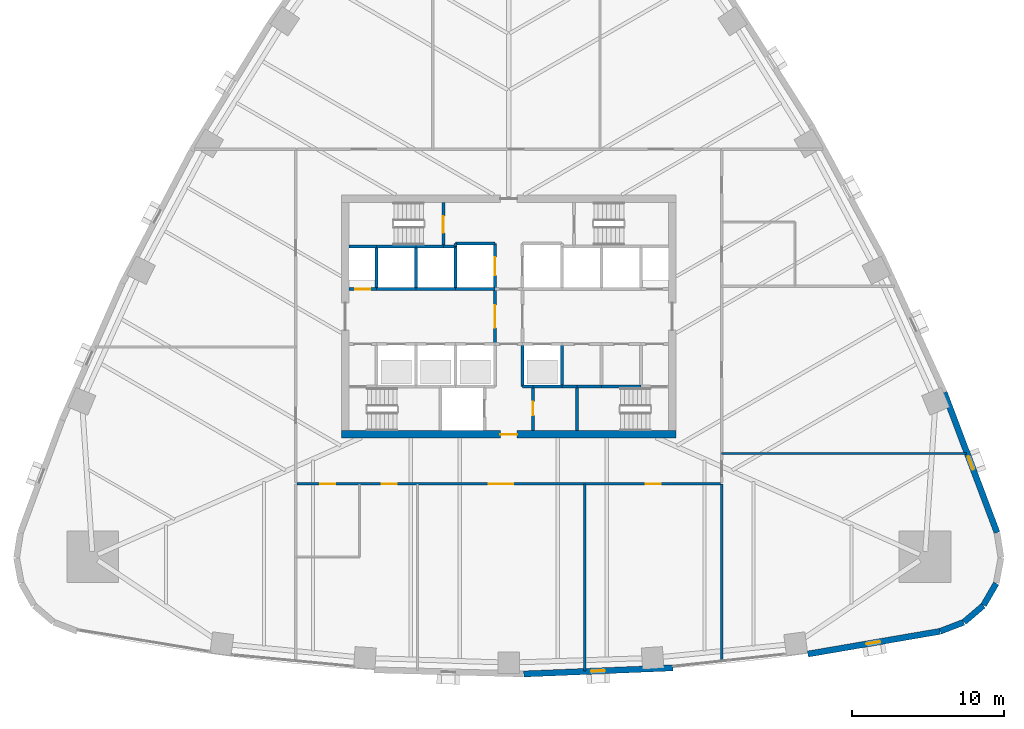
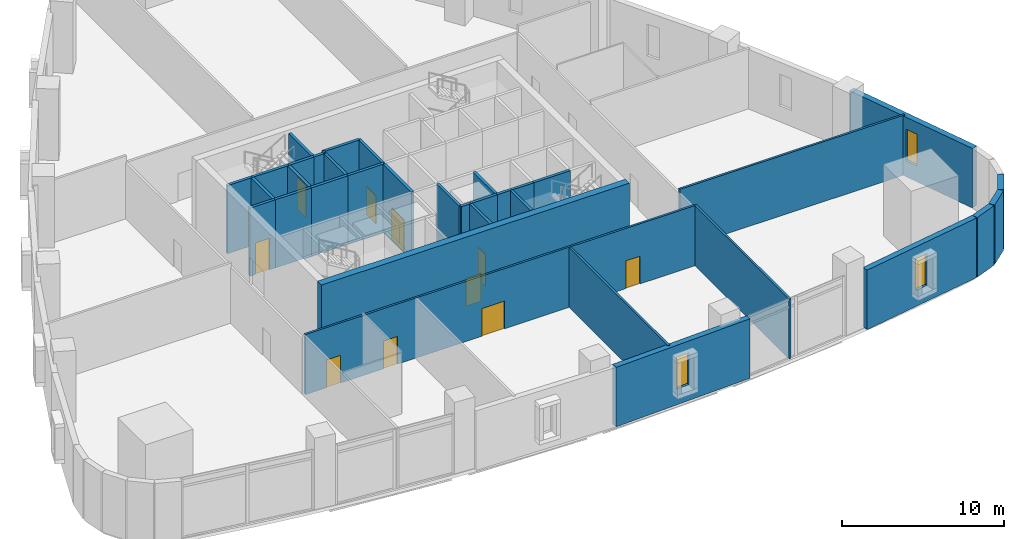
# One storey, part 7 of 14: 36 walls, 10 doors, 3 windows, 13 openings.
"""IFC4 building model written with IfcOpenShell, lengths in metres."""

from ifc_helpers import new_model, si_unit, direction, frame, frame_2d, origin, place, context, subcontext, project, spatial, rectangle, extrude, material, layer, layer_set, type_object, element, fill, save


model = new_model("IFC4")

# Units and contexts
model_context = context("Model", 3, precision=1e-05, world=origin(), true_north=direction((0.0, 1.0)))
body_context = subcontext(model_context, "Body", "Model", "MODEL_VIEW")
ifc_project = project(units=[si_unit("LENGTHUNIT", "METRE"), si_unit("AREAUNIT", "SQUARE_METRE"), si_unit("VOLUMEUNIT", "CUBIC_METRE"), si_unit("PLANEANGLEUNIT", "RADIAN"), si_unit("MASSUNIT", "GRAM", prefix="KILO")], contexts=[model_context])

# Site, building, storey
site_placement = place(None, origin())
site = spatial("IfcSite", under=ifc_project, at=site_placement, CompositionType="ELEMENT")
building_placement = place(site_placement, origin())
building = spatial("IfcBuilding", under=site, at=building_placement, Name="Sierra Prisma Convention Tower", CompositionType="ELEMENT")
storey_placement = place(building_placement, frame((0.0, 0.0, 16.800048828125)))
storey = spatial("IfcBuildingStorey", under=building, at=storey_placement, Name="L02", CompositionType="ELEMENT", Elevation=16.800048828125)

# Wall, opening, door
ifc_material_1 = material(Name="Concrete C30/37", Category="concrete")
ifc_layer_1 = layer(ifc_material_1, 0.199951171875)
ifc_layer_set_1 = layer_set([ifc_layer_1], Name="Core wall RC 200 C30/37")
wall_type_1 = type_object("IfcWallType", Name="Core wall RC 200 C30/37", PredefinedType="SOLIDWALL", material=ifc_layer_set_1)
wall_1_placement = place(storey_placement, frame((-8.699951171875, 1.800048828125, 0.0), z_axis=(0.0, 0.0, 1.0), x_axis=(-1.0, 0.0, 0.0)))
wall_1 = element("IfcWall", 1, at=wall_1_placement, inside=storey, type_object=wall_type_1, Name="Core wall L02 3", PredefinedType="SOLIDWALL", context=body_context, shape_type="SweptSolid", body=[
    extrude(rectangle(XDim=1.800048828125, YDim=0.199951171875, at=frame_2d((0.89990234375, 0.0))), origin(), (0.0, 0.0, 1.0), 5.14990234375),
])
opening_1_placement = place(wall_1_placement, frame((0.39990234375, 0.0, 0.0)))
opening_1 = element("IfcOpeningElement", 2, at=opening_1_placement, cuts=wall_1, Name="Opening L02-D014", PredefinedType="OPENING", context=body_context, shape_type="SweptSolid", body=[
    extrude(rectangle(XDim=1.0, YDim=2.39990234375, at=frame_2d((0.5, 1.199951171875))), frame((0.0, 0.10009765625, 0.0), z_axis=(0.0, -1.0, 0.0), x_axis=(1.0, 0.0, 0.0)), (0.0, 0.0, 1.0), 0.199951171875),
])
ifc_material_2 = material(Name="Steel fire door leaf", Category="steel")
door_type_1 = type_object("IfcDoorType", Name="Door 1000x2400 FD60S", OperationType="SINGLE_SWING_LEFT", PredefinedType="DOOR", material=ifc_material_2)
door_1_placement = place(opening_1_placement, origin())
door_1 = element("IfcDoor", 3, at=door_1_placement, inside=storey, type_object=door_type_1, Name="Door L02 27", OperationType="SINGLE_SWING_LEFT", OverallHeight=2.39990234375, OverallWidth=1.0, PredefinedType="DOOR", context=body_context, shape_type="SweptSolid", body=[
    extrude(rectangle(XDim=1.0, YDim=2.39990234375, at=frame_2d((0.5, 1.199951171875))), frame((0.0, 0.02490234375, 0.0), z_axis=(0.0, -1.0, 0.0), x_axis=(1.0, 0.0, 0.0)), (0.0, 0.0, 1.0), 0.050048828125),
])
fill(opening_1, door_1)

# Walls
wall_2_placement = place(storey_placement, frame((-8.699951171875, 4.60009765625, 0.0), z_axis=(0.0, 0.0, 1.0), x_axis=(-1.0, 0.0, 0.0)))
element("IfcWall", 4, at=wall_2_placement, inside=storey, type_object=wall_type_1, Name="Core wall L02 4", PredefinedType="SOLIDWALL", context=body_context, shape_type="SweptSolid", body=[
    extrude(rectangle(XDim=1.800048828125, YDim=0.199951171875, at=frame_2d((0.89990234375, 0.0))), origin(), (0.0, 0.0, 1.0), 5.14990234375),
])
wall_3_placement = place(storey_placement, frame((-6.10009765625, 1.800048828125, 0.0), z_axis=(0.0, 0.0, 1.0), x_axis=(-1.0, 0.0, 0.0)))
element("IfcWall", 5, at=wall_3_placement, inside=storey, type_object=wall_type_1, Name="Core wall L02 8", PredefinedType="SOLIDWALL", context=body_context, shape_type="SweptSolid", body=[
    extrude(rectangle(XDim=2.599853515625, YDim=0.199951171875, at=frame_2d((1.2998046875, 0.0))), origin(), (0.0, 0.0, 1.0), 5.14990234375),
])
wall_4_placement = place(storey_placement, frame((-8.699951171875, 1.800048828125, 0.0), z_axis=(0.0, 0.0, 1.0), x_axis=(0.0, 1.0, 0.0)))
element("IfcWall", 6, at=wall_4_placement, inside=storey, type_object=wall_type_1, Name="Core wall L02 9", PredefinedType="SOLIDWALL", context=body_context, shape_type="SweptSolid", body=[
    extrude(rectangle(XDim=2.800048828125, YDim=0.199951171875, at=frame_2d((1.39990234375, 0.0))), origin(), (0.0, 0.0, 1.0), 5.14990234375),
])
wall_5_placement = place(storey_placement, frame((-6.10009765625, 4.60009765625, 0.0), z_axis=(0.0, 0.0, 1.0), x_axis=(-1.0, 0.0, 0.0)))
element("IfcWall", 7, at=wall_5_placement, inside=storey, type_object=wall_type_1, Name="Core wall L02 10", PredefinedType="SOLIDWALL", context=body_context, shape_type="SweptSolid", body=[
    extrude(rectangle(XDim=2.599853515625, YDim=0.199951171875, at=frame_2d((1.2998046875, 0.0))), origin(), (0.0, 0.0, 1.0), 5.14990234375),
])
wall_6_placement = place(storey_placement, frame((-3.5, 1.800048828125, 0.0), z_axis=(0.0, 0.0, 1.0), x_axis=(-1.0, 0.0, 0.0)))
element("IfcWall", 8, at=wall_6_placement, inside=storey, type_object=wall_type_1, Name="Core wall L02 14", PredefinedType="SOLIDWALL", context=body_context, shape_type="SweptSolid", body=[
    extrude(rectangle(XDim=2.60009765625, YDim=0.199951171875, at=frame_2d((1.300048828125, 0.0))), origin(), (0.0, 0.0, 1.0), 5.14990234375),
])
wall_7_placement = place(storey_placement, frame((-6.10009765625, 1.800048828125, 0.0), z_axis=(0.0, 0.0, 1.0), x_axis=(0.0, 1.0, 0.0)))
element("IfcWall", 9, at=wall_7_placement, inside=storey, type_object=wall_type_1, Name="Core wall L02 15", PredefinedType="SOLIDWALL", context=body_context, shape_type="SweptSolid", body=[
    extrude(rectangle(XDim=2.800048828125, YDim=0.199951171875, at=frame_2d((1.39990234375, 0.0))), origin(), (0.0, 0.0, 1.0), 5.14990234375),
])
wall_8_placement = place(storey_placement, frame((-4.300048828125, 4.60009765625, 0.0), z_axis=(0.0, 0.0, 1.0), x_axis=(-1.0, 0.0, 0.0)))
element("IfcWall", 10, at=wall_8_placement, inside=storey, type_object=wall_type_1, Name="Core wall L02 16", PredefinedType="SOLIDWALL", context=body_context, shape_type="SweptSolid", body=[
    extrude(rectangle(XDim=1.800048828125, YDim=0.199951171875, at=frame_2d((0.89990234375, 0.0))), origin(), (0.0, 0.0, 1.0), 5.14990234375),
])
wall_9_placement = place(storey_placement, frame((-3.5, 4.60009765625, 0.0), z_axis=(0.0, 0.0, 1.0), x_axis=(-1.0, 0.0, 0.0)))
element("IfcWall", 11, at=wall_9_placement, inside=storey, type_object=wall_type_1, Name="Core wall L02 19", PredefinedType="SOLIDWALL", context=body_context, shape_type="SweptSolid", body=[
    extrude(rectangle(XDim=0.800048828125, YDim=0.199951171875, at=frame_2d((0.39990234375, 0.0))), origin(), (0.0, 0.0, 1.0), 5.14990234375),
])

# Wall, opening, door
wall_10_placement = place(storey_placement, frame((-4.300048828125, 4.60009765625, 0.0), z_axis=(0.0, 0.0, 1.0), x_axis=(0.0, 1.0, 0.0)))
wall_10 = element("IfcWall", 12, at=wall_10_placement, inside=storey, type_object=wall_type_1, Name="Core wall L02 20", PredefinedType="SOLIDWALL", context=body_context, shape_type="SweptSolid", body=[
    extrude(rectangle(XDim=2.89990234375, YDim=0.199951171875, at=frame_2d((1.449951171875, 0.0))), origin(), (0.0, 0.0, 1.0), 5.14990234375),
])
opening_2_placement = place(wall_10_placement, frame((0.89990234375, 0.0, 0.0)))
opening_2 = element("IfcOpeningElement", 13, at=opening_2_placement, cuts=wall_10, Name="Opening L02-D018", PredefinedType="OPENING", context=body_context, shape_type="SweptSolid", body=[
    extrude(rectangle(XDim=1.10009765625, YDim=2.39990234375, at=frame_2d((0.550048828125, 1.199951171875))), frame((0.0, 0.10009765625, 0.0), z_axis=(0.0, -1.0, 0.0), x_axis=(1.0, 0.0, 0.0)), (0.0, 0.0, 1.0), 0.199951171875),
])
ifc_material_3 = material(Name="Steel fire door leaf", Category="steel")
door_type_2 = type_object("IfcDoorType", Name="Door 1100x2400 FD90S", OperationType="SINGLE_SWING_LEFT", PredefinedType="DOOR", material=ifc_material_3)
door_2_placement = place(opening_2_placement, origin())
door_2 = element("IfcDoor", 14, at=door_2_placement, inside=storey, type_object=door_type_2, Name="Door L02 31", OperationType="SINGLE_SWING_LEFT", OverallHeight=2.39990234375, OverallWidth=1.10009765625, PredefinedType="DOOR", context=body_context, shape_type="SweptSolid", body=[
    extrude(rectangle(XDim=1.10009765625, YDim=2.39990234375, at=frame_2d((0.550048828125, 1.199951171875))), frame((0.0, 0.02490234375, 0.0), z_axis=(0.0, -1.0, 0.0), x_axis=(1.0, 0.0, 0.0)), (0.0, 0.0, 1.0), 0.050048828125),
])
fill(opening_2, door_2)

# Walls
wall_11_placement = place(storey_placement, frame((-0.89990234375, 1.800048828125, 0.0), z_axis=(0.0, 0.0, 1.0), x_axis=(-1.0, 0.0, 0.0)))
element("IfcWall", 15, at=wall_11_placement, inside=storey, type_object=wall_type_1, Name="Core wall L02 24", PredefinedType="SOLIDWALL", context=body_context, shape_type="SweptSolid", body=[
    extrude(rectangle(XDim=2.60009765625, YDim=0.199951171875, at=frame_2d((1.300048828125, 0.0))), origin(), (0.0, 0.0, 1.0), 5.14990234375),
])
wall_12_placement = place(storey_placement, frame((-3.5, 4.60009765625, 0.0), z_axis=(0.0, 0.0, 1.0), x_axis=(0.0, -1.0, 0.0)))
element("IfcWall", 16, at=wall_12_placement, inside=storey, type_object=wall_type_1, Name="Core wall L02 25", PredefinedType="SOLIDWALL", context=body_context, shape_type="SweptSolid", body=[
    extrude(rectangle(XDim=2.800048828125, YDim=0.199951171875, at=frame_2d((1.39990234375, 0.0))), origin(), (0.0, 0.0, 1.0), 5.14990234375),
])

# Wall, opening, door
wall_13_placement = place(storey_placement, frame((-0.89990234375, 1.800048828125, 0.0), z_axis=(0.0, 0.0, 1.0), x_axis=(0.0, 1.0, 0.0)))
wall_13 = element("IfcWall", 17, at=wall_13_placement, inside=storey, type_object=wall_type_1, Name="Core wall L02 26", PredefinedType="SOLIDWALL", context=body_context, shape_type="SweptSolid", body=[
    extrude(rectangle(XDim=3.0, YDim=0.199951171875, at=frame_2d((1.5, 0.0))), origin(), (0.0, 0.0, 1.0), 5.14990234375),
])
opening_3_placement = place(wall_13_placement, frame((0.89990234375, 0.0, 0.0)))
opening_3 = element("IfcOpeningElement", 18, at=opening_3_placement, cuts=wall_13, Name="Opening L02-D005", PredefinedType="OPENING", context=body_context, shape_type="SweptSolid", body=[
    extrude(rectangle(XDim=1.199951171875, YDim=2.10009765625, at=frame_2d((0.60009765625, 1.050048828125))), frame((0.0, 0.10009765625, 0.0), z_axis=(0.0, -1.0, 0.0), x_axis=(1.0, 0.0, 0.0)), (0.0, 0.0, 1.0), 0.199951171875),
])
ifc_material_4 = material(Name="Steel fire door leaf", Category="steel")
door_type_3 = type_object("IfcDoorType", Name="Door 1200x2100 EI 90 sliding lift landing", OperationType="SLIDING_TO_LEFT", PredefinedType="DOOR", material=ifc_material_4)
door_3_placement = place(opening_3_placement, origin())
door_3 = element("IfcDoor", 19, at=door_3_placement, inside=storey, type_object=door_type_3, Name="Door L02 18", OperationType="SLIDING_TO_RIGHT", OverallHeight=2.10009765625, OverallWidth=1.199951171875, PredefinedType="DOOR", context=body_context, shape_type="SweptSolid", body=[
    extrude(rectangle(XDim=1.199951171875, YDim=2.10009765625, at=frame_2d((0.60009765625, 1.050048828125))), frame((0.0, 0.02490234375, 0.0), z_axis=(0.0, -1.0, 0.0), x_axis=(1.0, 0.0, 0.0)), (0.0, 0.0, 1.0), 0.050048828125),
])
fill(opening_3, door_3)

# Walls
wall_14_placement = place(storey_placement, frame((-0.89990234375, 4.800048828125, 0.0), z_axis=(0.0, 0.0, 1.0), x_axis=(-1.0, 0.0, 0.0)))
element("IfcWall", 20, at=wall_14_placement, inside=storey, type_object=wall_type_1, Name="Core wall L02 27", PredefinedType="SOLIDWALL", context=body_context, shape_type="SweptSolid", body=[
    extrude(rectangle(XDim=2.60009765625, YDim=0.199951171875, at=frame_2d((1.300048828125, 0.0))), origin(), (0.0, 0.0, 1.0), 5.14990234375),
])
wall_15_placement = place(storey_placement, frame((-3.5, 4.800048828125, 0.0), z_axis=(0.0, 0.0, 1.0), x_axis=(0.0, -1.0, 0.0)))
element("IfcWall", 21, at=wall_15_placement, inside=storey, type_object=wall_type_1, Name="Core wall L02 28", PredefinedType="SOLIDWALL", context=body_context, shape_type="SweptSolid", body=[
    extrude(rectangle(XDim=0.199951171875, YDim=0.199951171875, at=frame_2d((0.10009765625, 0.0))), origin(), (0.0, 0.0, 1.0), 5.14990234375),
])

# Wall, opening, door
wall_16_placement = place(storey_placement, frame((-0.89990234375, 1.800048828125, 0.0), z_axis=(0.0, 0.0, 1.0), x_axis=(0.0, -1.0, 0.0)))
wall_16 = element("IfcWall", 22, at=wall_16_placement, inside=storey, type_object=wall_type_1, Name="Core wall L02 33", PredefinedType="SOLIDWALL", context=body_context, shape_type="SweptSolid", body=[
    extrude(rectangle(XDim=3.60009765625, YDim=0.199951171875, at=frame_2d((1.800048828125, 0.0))), origin(), (0.0, 0.0, 1.0), 5.14990234375),
])
opening_4_placement = place(wall_16_placement, frame((1.050048828125, 0.0, 0.0)))
opening_4 = element("IfcOpeningElement", 23, at=opening_4_placement, cuts=wall_16, Name="Opening L02-D008", PredefinedType="OPENING", context=body_context, shape_type="SweptSolid", body=[
    extrude(rectangle(XDim=1.5, YDim=2.39990234375, at=frame_2d((0.75, 1.199951171875))), frame((0.0, 0.10009765625, 0.0), z_axis=(0.0, -1.0, 0.0), x_axis=(1.0, 0.0, 0.0)), (0.0, 0.0, 1.0), 0.199951171875),
])
ifc_material_5 = material(Name="Steel fire door leaf", Category="steel")
door_type_4 = type_object("IfcDoorType", Name="Door 1500x2400 FD30S", OperationType="DOUBLE_DOOR_SINGLE_SWING", PredefinedType="DOOR", material=ifc_material_5)
door_4_placement = place(opening_4_placement, origin())
door_4 = element("IfcDoor", 24, at=door_4_placement, inside=storey, type_object=door_type_4, Name="Door L02 21", OperationType="DOUBLE_DOOR_SINGLE_SWING", OverallHeight=2.39990234375, OverallWidth=1.5, PredefinedType="DOOR", context=body_context, shape_type="SweptSolid", body=[
    extrude(rectangle(XDim=1.5, YDim=2.39990234375, at=frame_2d((0.75, 1.199951171875))), frame((0.0, 0.02490234375, 0.0), z_axis=(0.0, -1.0, 0.0), x_axis=(1.0, 0.0, 0.0)), (0.0, 0.0, 1.0), 0.050048828125),
])
fill(opening_4, door_4)

# Walls
wall_17_placement = place(storey_placement, frame((0.89990234375, -1.800048828125, 0.0), z_axis=(0.0, 0.0, 1.0), x_axis=(0.0, -1.0, 0.0)))
element("IfcWall", 25, at=wall_17_placement, inside=storey, type_object=wall_type_1, Name="Core wall L02 37", PredefinedType="SOLIDWALL", context=body_context, shape_type="SweptSolid", body=[
    extrude(rectangle(XDim=2.800048828125, YDim=0.199951171875, at=frame_2d((1.39990234375, 0.0))), origin(), (0.0, 0.0, 1.0), 5.14990234375),
])
wall_18_placement = place(storey_placement, frame((0.89990234375, -4.60009765625, 0.0), z_axis=(0.0, 0.0, 1.0), x_axis=(1.0, 0.0, 0.0)))
element("IfcWall", 26, at=wall_18_placement, inside=storey, type_object=wall_type_1, Name="Core wall L02 38", PredefinedType="SOLIDWALL", context=body_context, shape_type="SweptSolid", body=[
    extrude(rectangle(XDim=0.7001953125, YDim=0.199951171875, at=frame_2d((0.35009765625, 0.0))), origin(), (0.0, 0.0, 1.0), 5.14990234375),
])

# Wall, opening, door
wall_19_placement = place(storey_placement, frame((1.60009765625, -4.60009765625, 0.0), z_axis=(0.0, 0.0, 1.0), x_axis=(0.0, -1.0, 0.0)))
wall_19 = element("IfcWall", 27, at=wall_19_placement, inside=storey, type_object=wall_type_1, Name="Core wall L02 43", PredefinedType="SOLIDWALL", context=body_context, shape_type="SweptSolid", body=[
    extrude(rectangle(XDim=2.89990234375, YDim=0.199951171875, at=frame_2d((1.449951171875, 0.0))), origin(), (0.0, 0.0, 1.0), 5.14990234375),
])
opening_5_placement = place(wall_19_placement, frame((1.0, 0.0, 0.0)))
opening_5 = element("IfcOpeningElement", 28, at=opening_5_placement, cuts=wall_19, Name="Opening L02-D022", PredefinedType="OPENING", context=body_context, shape_type="SweptSolid", body=[
    extrude(rectangle(XDim=0.89990234375, YDim=2.39990234375, at=frame_2d((0.449951171875, 1.199951171875))), frame((0.0, 0.10009765625, 0.0), z_axis=(0.0, -1.0, 0.0), x_axis=(1.0, 0.0, 0.0)), (0.0, 0.0, 1.0), 0.199951171875),
])
ifc_material_6 = material(Name="Steel fire door leaf", Category="steel")
door_type_5 = type_object("IfcDoorType", Name="Door 900x2400 FD30S", OperationType="SINGLE_SWING_LEFT", PredefinedType="DOOR", material=ifc_material_6)
door_5_placement = place(opening_5_placement, origin())
door_5 = element("IfcDoor", 29, at=door_5_placement, inside=storey, type_object=door_type_5, Name="Door L02 35", OperationType="SINGLE_SWING_LEFT", OverallHeight=2.39990234375, OverallWidth=0.89990234375, PredefinedType="DOOR", context=body_context, shape_type="SweptSolid", body=[
    extrude(rectangle(XDim=0.89990234375, YDim=2.39990234375, at=frame_2d((0.449951171875, 1.199951171875))), frame((0.0, 0.02490234375, 0.0), z_axis=(0.0, -1.0, 0.0), x_axis=(1.0, 0.0, 0.0)), (0.0, 0.0, 1.0), 0.050048828125),
])
fill(opening_5, door_5)

# Walls
wall_20_placement = place(storey_placement, frame((3.5, -4.60009765625, 0.0), z_axis=(0.0, 0.0, 1.0), x_axis=(-1.0, 0.0, 0.0)))
element("IfcWall", 30, at=wall_20_placement, inside=storey, type_object=wall_type_1, Name="Core wall L02 44", PredefinedType="SOLIDWALL", context=body_context, shape_type="SweptSolid", body=[
    extrude(rectangle(XDim=1.89990234375, YDim=0.199951171875, at=frame_2d((0.949951171875, 0.0))), origin(), (0.0, 0.0, 1.0), 5.14990234375),
])
wall_21_placement = place(storey_placement, frame((3.5, -4.60009765625, 0.0), z_axis=(0.0, 0.0, 1.0), x_axis=(1.0, 0.0, 0.0)))
element("IfcWall", 31, at=wall_21_placement, inside=storey, type_object=wall_type_1, Name="Core wall L02 45", PredefinedType="SOLIDWALL", context=body_context, shape_type="SweptSolid", body=[
    extrude(rectangle(XDim=1.0, YDim=0.199951171875, at=frame_2d((0.5, 0.0))), origin(), (0.0, 0.0, 1.0), 5.14990234375),
])
wall_22_placement = place(storey_placement, frame((3.5, -1.800048828125, 0.0), z_axis=(0.0, 0.0, 1.0), x_axis=(0.0, -1.0, 0.0)))
element("IfcWall", 32, at=wall_22_placement, inside=storey, type_object=wall_type_1, Name="Core wall L02 46", PredefinedType="SOLIDWALL", context=body_context, shape_type="SweptSolid", body=[
    extrude(rectangle(XDim=2.800048828125, YDim=0.199951171875, at=frame_2d((1.39990234375, 0.0))), origin(), (0.0, 0.0, 1.0), 5.14990234375),
])
wall_23_placement = place(storey_placement, frame((4.5, -7.5, 0.0), z_axis=(0.0, 0.0, 1.0), x_axis=(0.0, 1.0, 0.0)))
element("IfcWall", 33, at=wall_23_placement, inside=storey, type_object=wall_type_1, Name="Core wall L02 53", PredefinedType="SOLIDWALL", context=body_context, shape_type="SweptSolid", body=[
    extrude(rectangle(XDim=2.89990234375, YDim=0.199951171875, at=frame_2d((1.449951171875, 0.0))), origin(), (0.0, 0.0, 1.0), 5.14990234375),
])
wall_24_placement = place(storey_placement, frame((4.5, -4.60009765625, 0.0), z_axis=(0.0, 0.0, 1.0), x_axis=(1.0, 0.0, 0.0)))
element("IfcWall", 34, at=wall_24_placement, inside=storey, type_object=wall_type_1, Name="Core wall L02 54", PredefinedType="SOLIDWALL", context=body_context, shape_type="SweptSolid", body=[
    extrude(rectangle(XDim=1.60009765625, YDim=0.199951171875, at=frame_2d((0.800048828125, 0.0))), origin(), (0.0, 0.0, 1.0), 5.14990234375),
])
wall_25_placement = place(storey_placement, frame((6.10009765625, -4.60009765625, 0.0), z_axis=(0.0, 0.0, 1.0), x_axis=(1.0, 0.0, 0.0)))
element("IfcWall", 35, at=wall_25_placement, inside=storey, type_object=wall_type_1, Name="Core wall L02 55", PredefinedType="SOLIDWALL", context=body_context, shape_type="SweptSolid", body=[
    extrude(rectangle(XDim=2.599853515625, YDim=0.199951171875, at=frame_2d((1.2998046875, 0.0))), origin(), (0.0, 0.0, 1.0), 5.14990234375),
])

# Wall, opening, door
ifc_material_7 = material(Name="Concrete C70/85", Category="concrete")
ifc_layer_2 = layer(ifc_material_7, 0.5)
ifc_layer_set_2 = layer_set([ifc_layer_2], Name="Core wall RC 500 C70/85")
wall_type_2 = type_object("IfcWallType", Name="Core wall RC 500 C70/85", PredefinedType="SHEAR", material=ifc_layer_set_2)
wall_26_placement = place(storey_placement, frame((-11.0, -7.75, 0.0), z_axis=(0.0, 0.0, 1.0), x_axis=(1.0, 0.0, 0.0)))
wall_26 = element("IfcWall", 36, at=wall_26_placement, inside=storey, type_object=wall_type_2, Name="Core wall S L02", PredefinedType="SHEAR", context=body_context, shape_type="SweptSolid", body=[
    extrude(rectangle(XDim=22.0, YDim=0.5, at=frame_2d((11.0, 0.0))), origin(), (0.0, 0.0, 1.0), 5.39990234375),
])
opening_6_placement = place(wall_26_placement, frame((10.449951171875, 0.0, 0.0)))
opening_6 = element("IfcOpeningElement", 37, at=opening_6_placement, cuts=wall_26, Name="Opening L02-D038", PredefinedType="OPENING", context=body_context, shape_type="SweptSolid", body=[
    extrude(rectangle(XDim=1.10009765625, YDim=2.10009765625, at=frame_2d((0.550048828125, 1.050048828125))), frame((0.0, 0.25, 0.0), z_axis=(0.0, -1.0, 0.0), x_axis=(1.0, 0.0, 0.0)), (0.0, 0.0, 1.0), 0.5),
])
ifc_material_8 = material(Name="Steel fire door leaf", Category="steel")
door_type_6 = type_object("IfcDoorType", Name="Door 1100x2100 FD30S", OperationType="SINGLE_SWING_LEFT", PredefinedType="DOOR", material=ifc_material_8)
door_6_placement = place(opening_6_placement, origin())
door_6 = element("IfcDoor", 38, at=door_6_placement, inside=storey, type_object=door_type_6, Name="Door L02 39", OperationType="SINGLE_SWING_LEFT", OverallHeight=2.10009765625, OverallWidth=1.10009765625, PredefinedType="DOOR", context=body_context, shape_type="SweptSolid", body=[
    extrude(rectangle(XDim=1.10009765625, YDim=2.10009765625, at=frame_2d((0.550048828125, 1.050048828125))), frame((0.0, 0.02490234375, 0.0), z_axis=(0.0, -1.0, 0.0), x_axis=(1.0, 0.0, 0.0)), (0.0, 0.0, 1.0), 0.050048828125),
])
fill(opening_6, door_6)

# Wall, openings, doors
ifc_material_9 = material(Name="Gypsum board partition", Category="gypsum")
ifc_layer_3 = layer(ifc_material_9, 0.14990234375)
ifc_layer_set_3 = layer_set([ifc_layer_3], Name="Corridor wall 150 gypsum EI 60")
wall_type_3 = type_object("IfcWallType", Name="Corridor wall 150 gypsum EI 60", PredefinedType="PARTITIONING", material=ifc_layer_set_3)
wall_27_placement = place(storey_placement, frame((-13.919921875, -11.0, 0.0), z_axis=(0.0, 0.0, 1.0), x_axis=(1.0, 0.0, 0.0)))
wall_27 = element("IfcWall", 39, at=wall_27_placement, inside=storey, type_object=wall_type_3, Name="Partition L02 corr 2", PredefinedType="PARTITIONING", context=body_context, shape_type="SweptSolid", body=[
    extrude(rectangle(XDim=27.83984375, YDim=0.14990234375, at=frame_2d((13.919921875, 0.0))), origin(), (0.0, 0.0, 1.0), 4.546875),
])
opening_7_placement = place(wall_27_placement, frame((1.52001953125, 0.0, 0.0)))
opening_7 = element("IfcOpeningElement", 40, at=opening_7_placement, cuts=wall_27, Name="Opening L02-D030", PredefinedType="OPENING", context=body_context, shape_type="SweptSolid", body=[
    extrude(rectangle(XDim=1.0, YDim=2.10009765625, at=frame_2d((0.5, 1.050048828125))), frame((0.0, 0.074951171875, 0.0), z_axis=(0.0, -1.0, 0.0), x_axis=(1.0, 0.0, 0.0)), (0.0, 0.0, 1.0), 0.14990234375),
])
opening_8_placement = place(wall_27_placement, frame((5.570068359375, 0.0, 0.0)))
opening_8 = element("IfcOpeningElement", 41, at=opening_8_placement, cuts=wall_27, Name="Opening L02-D031", PredefinedType="OPENING", context=body_context, shape_type="SweptSolid", body=[
    extrude(rectangle(XDim=1.0, YDim=2.10009765625, at=frame_2d((0.5, 1.050048828125))), frame((0.0, 0.074951171875, 0.0), z_axis=(0.0, -1.0, 0.0), x_axis=(1.0, 0.0, 0.0)), (0.0, 0.0, 1.0), 0.14990234375),
])
opening_9_placement = place(wall_27_placement, frame((12.6201171875, 0.0, 0.0)))
opening_9 = element("IfcOpeningElement", 42, at=opening_9_placement, cuts=wall_27, Name="Opening L02-D032", PredefinedType="OPENING", context=body_context, shape_type="SweptSolid", body=[
    extrude(rectangle(XDim=1.60009765625, YDim=2.10009765625, at=frame_2d((0.800048828125, 1.050048828125))), frame((0.0, 0.074951171875, 0.0), z_axis=(0.0, -1.0, 0.0), x_axis=(1.0, 0.0, 0.0)), (0.0, 0.0, 1.0), 0.14990234375),
])
opening_10_placement = place(wall_27_placement, frame((22.919921875, 0.0, 0.0)))
opening_10 = element("IfcOpeningElement", 43, at=opening_10_placement, cuts=wall_27, Name="Opening L02-D033", PredefinedType="OPENING", context=body_context, shape_type="SweptSolid", body=[
    extrude(rectangle(XDim=1.0, YDim=2.10009765625, at=frame_2d((0.5, 1.050048828125))), frame((0.0, 0.074951171875, 0.0), z_axis=(0.0, -1.0, 0.0), x_axis=(1.0, 0.0, 0.0)), (0.0, 0.0, 1.0), 0.14990234375),
])
ifc_material_10 = material(Name="Steel fire door leaf", Category="steel")
door_type_7 = type_object("IfcDoorType", Name="Door 1000x2100 FD30S", OperationType="SINGLE_SWING_LEFT", PredefinedType="DOOR", material=ifc_material_10)
door_7_placement = place(opening_7_placement, origin())
door_7 = element("IfcDoor", 44, at=door_7_placement, inside=storey, type_object=door_type_7, Name="Door L02 8", OperationType="SINGLE_SWING_RIGHT", OverallHeight=2.10009765625, OverallWidth=1.0, PredefinedType="DOOR", context=body_context, shape_type="SweptSolid", body=[
    extrude(rectangle(XDim=1.0, YDim=2.10009765625, at=frame_2d((0.5, 1.050048828125))), frame((0.0, 0.02490234375, 0.0), z_axis=(0.0, -1.0, 0.0), x_axis=(1.0, 0.0, 0.0)), (0.0, 0.0, 1.0), 0.050048828125),
])
fill(opening_7, door_7)
door_8_placement = place(opening_8_placement, origin())
door_8 = element("IfcDoor", 45, at=door_8_placement, inside=storey, type_object=door_type_7, Name="Door L02 9", OperationType="SINGLE_SWING_LEFT", OverallHeight=2.10009765625, OverallWidth=1.0, PredefinedType="DOOR", context=body_context, shape_type="SweptSolid", body=[
    extrude(rectangle(XDim=1.0, YDim=2.10009765625, at=frame_2d((0.5, 1.050048828125))), frame((0.0, 0.02490234375, 0.0), z_axis=(0.0, -1.0, 0.0), x_axis=(1.0, 0.0, 0.0)), (0.0, 0.0, 1.0), 0.050048828125),
])
fill(opening_8, door_8)
door_9_placement = place(opening_10_placement, origin())
door_9 = element("IfcDoor", 46, at=door_9_placement, inside=storey, type_object=door_type_7, Name="Door L02 11", OperationType="SINGLE_SWING_LEFT", OverallHeight=2.10009765625, OverallWidth=1.0, PredefinedType="DOOR", context=body_context, shape_type="SweptSolid", body=[
    extrude(rectangle(XDim=1.0, YDim=2.10009765625, at=frame_2d((0.5, 1.050048828125))), frame((0.0, 0.02490234375, 0.0), z_axis=(0.0, -1.0, 0.0), x_axis=(1.0, 0.0, 0.0)), (0.0, 0.0, 1.0), 0.050048828125),
])
fill(opening_10, door_9)
ifc_material_11 = material(Name="Steel fire door leaf", Category="steel")
door_type_8 = type_object("IfcDoorType", Name="Door 1600x2100 FD30S", OperationType="DOUBLE_DOOR_SINGLE_SWING", PredefinedType="DOOR", material=ifc_material_11)
door_10_placement = place(opening_9_placement, origin())
door_10 = element("IfcDoor", 47, at=door_10_placement, inside=storey, type_object=door_type_8, Name="Door L02 10", OperationType="DOUBLE_DOOR_SINGLE_SWING", OverallHeight=2.10009765625, OverallWidth=1.60009765625, PredefinedType="DOOR", context=body_context, shape_type="SweptSolid", body=[
    extrude(rectangle(XDim=1.60009765625, YDim=2.10009765625, at=frame_2d((0.800048828125, 1.050048828125))), frame((0.0, 0.02490234375, 0.0), z_axis=(0.0, -1.0, 0.0), x_axis=(1.0, 0.0, 0.0)), (0.0, 0.0, 1.0), 0.050048828125),
])
fill(opening_9, door_10)

# Walls
ifc_material_12 = material(Name="Gypsum board partition", Category="gypsum")
ifc_layer_4 = layer(ifc_material_12, 0.14990234375)
ifc_layer_set_4 = layer_set([ifc_layer_4], Name="Party wall 150 gypsum")
wall_type_4 = type_object("IfcWallType", Name="Party wall 150 gypsum", PredefinedType="PARTITIONING", material=ifc_layer_set_4)
wall_28_placement = place(storey_placement, frame((5.0, -11.0, 0.0), z_axis=(0.0, 0.0, 1.0), x_axis=(0.0, -1.0, 0.0)))
element("IfcWall", 48, at=wall_28_placement, inside=storey, type_object=wall_type_4, Name="Partition L02 party 6", PredefinedType="PARTITIONING", context=body_context, shape_type="SweptSolid", body=[
    extrude(rectangle(XDim=12.29296875, YDim=0.14990234375, at=frame_2d((6.146484375, 0.0))), origin(), (0.0, 0.0, 1.0), 4.533935546875),
])
wall_29_placement = place(storey_placement, frame((14.0, -11.0, 0.0), z_axis=(0.0, 0.0, 1.0), x_axis=(0.0, -1.0, 0.0)))
element("IfcWall", 49, at=wall_29_placement, inside=storey, type_object=wall_type_4, Name="Partition L02 party 8", PredefinedType="PARTITIONING", context=body_context, shape_type="SweptSolid", body=[
    extrude(rectangle(XDim=11.697021484375, YDim=0.14990234375, at=frame_2d((5.8486328125, 0.0))), origin(), (0.0, 0.0, 1.0), 4.533935546875),
])
wall_30_placement = place(storey_placement, frame((14.0, -9.0, 0.0), z_axis=(0.0, 0.0, 1.0), x_axis=(1.0, 0.0, 0.0)))
element("IfcWall", 50, at=wall_30_placement, inside=storey, type_object=wall_type_4, Name="Partition L02 party 9", PredefinedType="PARTITIONING", context=body_context, shape_type="SweptSolid", body=[
    extrude(rectangle(XDim=16.0927734375, YDim=0.14990234375, at=frame_2d((8.04638671875, 0.0))), origin(), (0.0, 0.0, 1.0), 4.533935546875),
])
ifc_material_13 = material(Name="Concrete C40/50, terracotta plaster finish", Category="masonry")
ifc_layer_5 = layer(ifc_material_13, 0.39990234375)
ifc_layer_set_5 = layer_set([ifc_layer_5], Name="Podium plastered wall 400")
wall_type_5 = type_object("IfcWallType", Name="Podium plastered wall 400", PredefinedType="STANDARD", material=ifc_layer_set_5)
for number, where, z_axis, x_axis, name in (
    (51, (31.189697265625, -19.00341796875, 0.0), (0.0, 0.0, 1.0), (-0.760211621525, -0.649675527089, 0.0), "Podium wall L02 1"),
    (52, (32.04052734375, -17.541015625, 0.0), (0.0, 0.0, 1.0), (-0.499985761608, -0.866033624168, 0.0), "Podium wall L02 2"),
):
    element("IfcWall", number, at=place(storey_placement, frame(where, z_axis=z_axis, x_axis=x_axis)), inside=storey, type_object=wall_type_5, Name=name, PredefinedType="STANDARD", context=body_context, shape_type="SweptSolid", body=[
        extrude(rectangle(XDim=1.65869140625, YDim=0.39990234375, at=frame_2d((0.829345703125, 0.0))), origin(), (0.0, 0.0, 1.0), 4.5),
    ])

# Wall, opening, window
wall_31_placement = place(storey_placement, frame((28.62548828125, -4.992919921875, 0.0), z_axis=(0.0, 0.0, 1.0), x_axis=(0.352569865932, -0.935785493389, 0.0)))
wall_31 = element("IfcWall", 53, at=wall_31_placement, inside=storey, type_object=wall_type_5, Name="Podium wall L02 5", PredefinedType="STANDARD", context=body_context, shape_type="SweptSolid", body=[
    extrude(rectangle(XDim=9.837890625, YDim=0.39990234375, at=frame_2d((4.9189453125, 0.0))), origin(), (0.0, 0.0, 1.0), 4.5),
])
opening_11_placement = place(wall_31_placement, frame((4.5, 0.0, 1.199951171875)))
opening_11 = element("IfcOpeningElement", 54, at=opening_11_placement, cuts=wall_31, Name="Opening L02-W01", PredefinedType="OPENING", context=body_context, shape_type="SweptSolid", body=[
    extrude(rectangle(XDim=0.89990234375, YDim=2.39990234375, at=frame_2d((0.449951171875, 1.199951171875))), frame((0.0, 0.199951171875, 0.0), z_axis=(0.0, -1.0, 0.0), x_axis=(1.0, 0.0, 0.0)), (0.0, 0.0, 1.0), 0.39990234375),
])
ifc_material_14 = material(Name="Tinted glass, bronze aluminium frame", Category="aluminium")
window_type = type_object("IfcWindowType", Name="Podium slot window 900 x 2400", PartitioningType="SINGLE_PANEL", PredefinedType="WINDOW", material=ifc_material_14)
window_1_placement = place(opening_11_placement, origin())
window_1 = element("IfcWindow", 55, at=window_1_placement, inside=storey, type_object=window_type, Name="Slot window", OverallHeight=2.39990234375, OverallWidth=0.89990234375, PartitioningType="SINGLE_PANEL", PredefinedType="WINDOW", context=body_context, shape_type="SweptSolid", body=[
    extrude(rectangle(XDim=0.89990234375, YDim=2.39990234375, at=frame_2d((0.449951171875, 1.199951171875))), frame((0.0, 0.030029296875, 0.0), z_axis=(0.0, -1.0, 0.0), x_axis=(1.0, 0.0, 0.0)), (0.0, 0.0, 1.0), 0.06005859375),
])
fill(opening_11, window_1)

wall_32_placement = place(storey_placement, frame((10.80419921875, -23.095703125, 0.0), z_axis=(0.0, 0.0, 1.0), x_axis=(-0.999167350404, -0.04079958195, 0.0)))
wall_32 = element("IfcWall", 56, at=wall_32_placement, inside=storey, type_object=wall_type_5, Name="Podium wall L02 30", PredefinedType="STANDARD", context=body_context, shape_type="SweptSolid", body=[
    extrude(rectangle(XDim=9.82568359375, YDim=0.39990234375, at=frame_2d((4.912841796875, 0.0))), origin(), (0.0, 0.0, 1.0), 4.5),
])
opening_12_placement = place(wall_32_placement, frame((4.5, 0.0, 1.199951171875)))
opening_12 = element("IfcOpeningElement", 57, at=opening_12_placement, cuts=wall_32, Name="Opening L02-W14", PredefinedType="OPENING", context=body_context, shape_type="SweptSolid", body=[
    extrude(rectangle(XDim=0.89990234375, YDim=2.39990234375, at=frame_2d((0.449951171875, 1.199951171875))), frame((0.0, 0.199951171875, 0.0), z_axis=(0.0, -1.0, 0.0), x_axis=(1.0, 0.0, 0.0)), (0.0, 0.0, 1.0), 0.39990234375),
])
window_2_placement = place(opening_12_placement, origin())
window_2 = element("IfcWindow", 58, at=window_2_placement, inside=storey, type_object=window_type, Name="Slot window", OverallHeight=2.39990234375, OverallWidth=0.89990234375, PartitioningType="SINGLE_PANEL", PredefinedType="WINDOW", context=body_context, shape_type="SweptSolid", body=[
    extrude(rectangle(XDim=0.89990234375, YDim=2.39990234375, at=frame_2d((0.449951171875, 1.199951171875))), frame((0.0, 0.030029296875, 0.0), z_axis=(0.0, -1.0, 0.0), x_axis=(1.0, 0.0, 0.0)), (0.0, 0.0, 1.0), 0.06005859375),
])
fill(opening_12, window_2)

wall_33_placement = place(storey_placement, frame((28.34423828125, -20.694580078125, 0.0), z_axis=(0.0, 0.0, 1.0), x_axis=(-0.985570785174, -0.169263780566, 0.0)))
wall_33 = element("IfcWall", 59, at=wall_33_placement, inside=storey, type_object=wall_type_5, Name="Podium wall L02 32", PredefinedType="STANDARD", context=body_context, shape_type="SweptSolid", body=[
    extrude(rectangle(XDim=8.81005859375, YDim=0.39990234375, at=frame_2d((4.405029296875, 0.0))), origin(), (0.0, 0.0, 1.0), 4.5),
])
opening_13_placement = place(wall_33_placement, frame((4.0, 0.0, 1.199951171875)))
opening_13 = element("IfcOpeningElement", 60, at=opening_13_placement, cuts=wall_33, Name="Opening L02-W15", PredefinedType="OPENING", context=body_context, shape_type="SweptSolid", body=[
    extrude(rectangle(XDim=0.89990234375, YDim=2.39990234375, at=frame_2d((0.449951171875, 1.199951171875))), frame((0.0, 0.199951171875, 0.0), z_axis=(0.0, -1.0, 0.0), x_axis=(1.0, 0.0, 0.0)), (0.0, 0.0, 1.0), 0.39990234375),
])
window_3_placement = place(opening_13_placement, origin())
window_3 = element("IfcWindow", 61, at=window_3_placement, inside=storey, type_object=window_type, Name="Slot window", OverallHeight=2.39990234375, OverallWidth=0.89990234375, PartitioningType="SINGLE_PANEL", PredefinedType="WINDOW", context=body_context, shape_type="SweptSolid", body=[
    extrude(rectangle(XDim=0.89990234375, YDim=2.39990234375, at=frame_2d((0.449951171875, 1.199951171875))), frame((0.0, 0.030029296875, 0.0), z_axis=(0.0, -1.0, 0.0), x_axis=(1.0, 0.0, 0.0)), (0.0, 0.0, 1.0), 0.06005859375),
])
fill(opening_13, window_3)

# Wall
wall_34_placement = place(storey_placement, frame((29.899658203125, -20.098388671875, 0.0), z_axis=(0.0, 0.0, 1.0), x_axis=(-0.933315023429, -0.359058584415, 0.0)))
element("IfcWall", 62, at=wall_34_placement, inside=storey, type_object=wall_type_5, Name="Podium wall L02 33", PredefinedType="STANDARD", context=body_context, shape_type="SweptSolid", body=[
    extrude(rectangle(XDim=1.646240234375, YDim=0.39990234375, at=frame_2d((0.8232421875, 0.0))), origin(), (0.0, 0.0, 1.0), 4.5),
])

save(model, "model.ifc")
